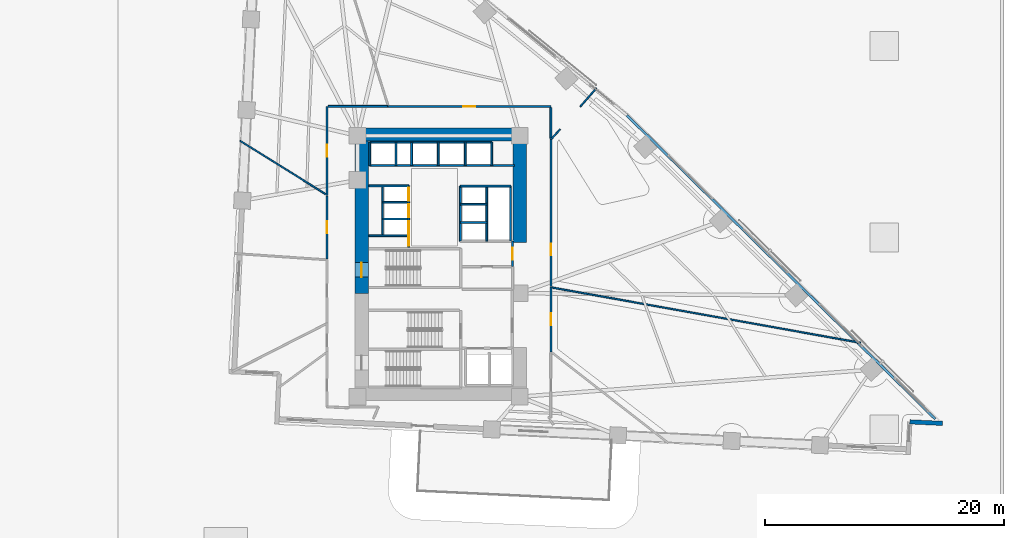
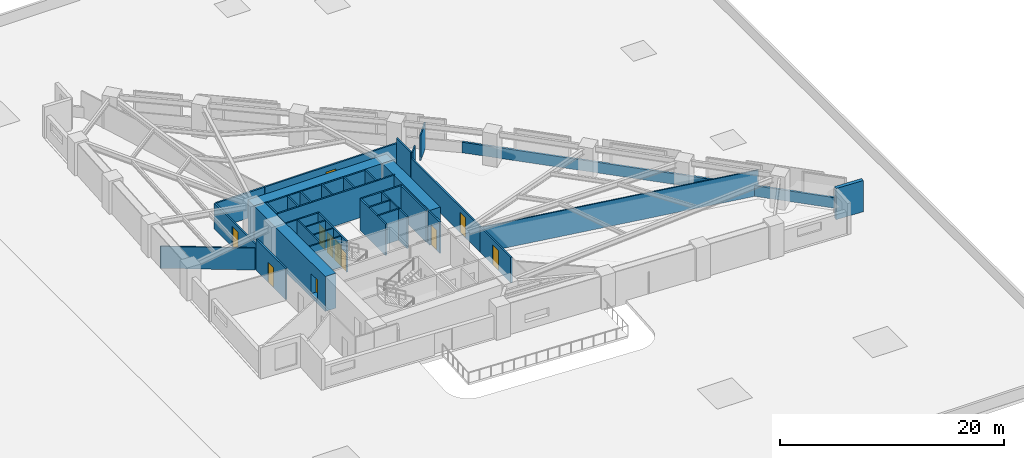
# One storey, part 15 of 19: 38 walls, 11 doors, 11 openings.
"""IFC4 building model written with IfcOpenShell, lengths in metres."""

from ifc_helpers import new_model, si_unit, direction, frame, frame_2d, origin, place, context, subcontext, project, spatial, rectangle, extrude, material, layer, layer_set, type_object, element, fill, save


model = new_model("IFC4")

# Units and contexts
model_context = context("Model", 3, precision=1e-05, world=origin(), true_north=direction((0.0, 1.0)))
body_context = subcontext(model_context, "Body", "Model", "MODEL_VIEW")
ifc_project = project(units=[si_unit("LENGTHUNIT", "METRE"), si_unit("AREAUNIT", "SQUARE_METRE"), si_unit("VOLUMEUNIT", "CUBIC_METRE"), si_unit("PLANEANGLEUNIT", "RADIAN"), si_unit("MASSUNIT", "GRAM", prefix="KILO")], contexts=[model_context])

# Site, building, storey
site_placement = place(None, origin())
site = spatial("IfcSite", under=ifc_project, at=site_placement, CompositionType="ELEMENT")
building_placement = place(site_placement, origin())
building = spatial("IfcBuilding", under=site, at=building_placement, Name="Narakoshi Arena Tower", CompositionType="ELEMENT")
storey_placement = place(building_placement, frame((0.0, 0.0, 26.699951171875)))
storey = spatial("IfcBuildingStorey", under=building, at=storey_placement, Name="L06", CompositionType="ELEMENT", Elevation=26.699951171875)

# Wall, opening, door
ifc_material_1 = material(Name="Concrete C60/75", Category="concrete")
ifc_layer_1 = layer(ifc_material_1, 1.10009765625)
ifc_layer_set_1 = layer_set([ifc_layer_1], Name="Concrete C60/75")
wall_type_1 = type_object("IfcWallType", Name="WL-CORE-1100", PredefinedType="SHEAR", material=ifc_layer_set_1)
wall_1_placement = place(storey_placement, frame((72.35009765625, 43.35009765625, -0.39990234375), z_axis=(0.0, 0.0, 1.0), x_axis=(0.0, 1.0, 0.0)))
wall_1 = element("IfcWall", 1, at=wall_1_placement, inside=storey, type_object=wall_type_1, Name="L06 Main Core Shear Wall CW-MN-W", PredefinedType="SHEAR", context=body_context, shape_type="SweptSolid", body=[
    extrude(rectangle(XDim=12.699951171875, YDim=1.10009765625, at=frame_2d((6.35009765625, 0.0))), origin(), (0.0, 0.0, 1.0), 3.800048828125),
])
opening_1_placement = place(wall_1_placement, frame((1.35009765625, 0.0, 0.39990234375)))
opening_1 = element("IfcOpeningElement", 2, at=opening_1_placement, cuts=wall_1, Name="Opening D-03", PredefinedType="OPENING", context=body_context, shape_type="SweptSolid", body=[
    extrude(rectangle(XDim=1.199951171875, YDim=2.199951171875, at=frame_2d((0.60009765625, 1.10009765625))), frame((0.0, 0.56005859375, 0.0), z_axis=(0.0, -1.0, 0.0), x_axis=(1.0, 0.0, 0.0)), (0.0, 0.0, 1.0), 1.1201171875),
])
ifc_material_2 = material(Name="Painted galvanized steel", Category="steel")
door_type_1 = type_object("IfcDoorType", Name="DR-STR-1200", OperationType="NOTDEFINED", PredefinedType="USERDEFINED", material=ifc_material_2)
door_1_placement = place(opening_1_placement, frame((1.199951171875, 0.0, 0.0), z_axis=(0.0, 0.0, 1.0), x_axis=(-1.0, 0.0, 0.0)))
door_1 = element("IfcDoor", 3, at=door_1_placement, inside=storey, type_object=door_type_1, Name="DR-L06-007", ObjectType="EXITDOOR", OperationType="SINGLE_SWING_LEFT", OverallHeight=2.199951171875, OverallWidth=1.199951171875, PredefinedType="USERDEFINED", context=body_context, shape_type="SweptSolid", body=[
    extrude(rectangle(XDim=1.199951171875, YDim=2.199951171875, at=frame_2d((0.60009765625, 1.10009765625))), frame((0.0, 0.02490234375, 0.0), z_axis=(0.0, -1.0, 0.0), x_axis=(1.0, 0.0, 0.0)), (0.0, 0.0, 1.0), 0.050048828125),
])
fill(opening_1, door_1)

# Walls
wall_2_placement = place(storey_placement, frame((71.800048828125, 56.60009765625, -0.39990234375), z_axis=(0.0, 0.0, 1.0), x_axis=(1.0, 0.0, 0.0)))
element("IfcWall", 4, at=wall_2_placement, inside=storey, type_object=wall_type_1, Name="L06 Main Core Shear Wall CW-MN-N", PredefinedType="SHEAR", context=body_context, shape_type="SweptSolid", body=[
    extrude(rectangle(XDim=14.300048828125, YDim=1.10009765625, at=frame_2d((7.14990234375, 0.0))), origin(), (0.0, 0.0, 1.0), 3.800048828125),
])
wall_3_placement = place(storey_placement, frame((85.550048828125, 47.60009765625, -0.39990234375), z_axis=(0.0, 0.0, 1.0), x_axis=(0.0, 1.0, 0.0)))
element("IfcWall", 5, at=wall_3_placement, inside=storey, type_object=wall_type_1, Name="L06 Main Core Shear Wall CW-MN-E", PredefinedType="SHEAR", context=body_context, shape_type="SweptSolid", body=[
    extrude(rectangle(XDim=8.449951171875, YDim=1.10009765625, at=frame_2d((4.22509765625, 0.0))), origin(), (0.0, 0.0, 1.0), 3.800048828125),
])

# Wall, opening, door
ifc_material_3 = material(Name="Gypsum plasterboard fire-rated partition")
ifc_layer_2 = layer(ifc_material_3, 0.1650390625)
ifc_layer_set_2 = layer_set([ifc_layer_2], Name="Gypsum plasterboard fire-rated partition")
wall_type_2 = type_object("IfcWallType", Name="WL-CORR-165", PredefinedType="PARTITIONING", material=ifc_layer_set_2)
wall_4_placement = place(storey_placement, frame((84.949951171875, 45.580078125, 0.0), z_axis=(0.0, 0.0, 1.0), x_axis=(0.0, 1.0, 0.0)))
wall_4 = element("IfcWall", 6, at=wall_4_placement, inside=storey, type_object=wall_type_2, Name="L06 Core Wall CPAS-E", PredefinedType="PARTITIONING", context=body_context, shape_type="SweptSolid", body=[
    extrude(rectangle(XDim=2.119873046875, YDim=0.1650390625, at=frame_2d((1.06005859375, 0.0))), origin(), (0.0, 0.0, 1.0), 3.400146484375),
])
opening_2_placement = place(wall_4_placement, frame((0.56005859375, 0.0, 0.0)))
opening_2 = element("IfcOpeningElement", 7, at=opening_2_placement, cuts=wall_4, Name="Opening D-06", PredefinedType="OPENING", context=body_context, shape_type="SweptSolid", body=[
    extrude(rectangle(XDim=1.0, YDim=2.199951171875, at=frame_2d((0.5, 1.10009765625))), frame((0.0, 0.092529296875, 0.0), z_axis=(0.0, -1.0, 0.0), x_axis=(1.0, 0.0, 0.0)), (0.0, 0.0, 1.0), 0.18505859375),
])
ifc_material_4 = material(Name="Stained oak solid-core timber", Category="wood")
door_type_2 = type_object("IfcDoorType", Name="DR-OFF-1000", OperationType="NOTDEFINED", PredefinedType="DOOR", material=ifc_material_4)
door_2_placement = place(opening_2_placement, frame((1.0, 0.0, 0.0), z_axis=(0.0, 0.0, 1.0), x_axis=(-1.0, 0.0, 0.0)))
door_2 = element("IfcDoor", 8, at=door_2_placement, inside=storey, type_object=door_type_2, Name="DR-L06-008", OperationType="SINGLE_SWING_LEFT", OverallHeight=2.199951171875, OverallWidth=1.0, PredefinedType="DOOR", context=body_context, shape_type="SweptSolid", body=[
    extrude(rectangle(XDim=1.0, YDim=2.199951171875, at=frame_2d((0.5, 1.10009765625))), frame((0.0, 0.02490234375, 0.0), z_axis=(0.0, -1.0, 0.0), x_axis=(1.0, 0.0, 0.0)), (0.0, 0.0, 1.0), 0.050048828125),
])
fill(opening_2, door_2)

wall_5_placement = place(storey_placement, frame((88.14990234375, 38.439453125, 0.0), z_axis=(0.0, 0.0, 1.0), x_axis=(0.0, 1.0, 0.0)))
wall_5 = element("IfcWall", 9, at=wall_5_placement, inside=storey, type_object=wall_type_2, Name="L06 Corridor Partition 03-1", PredefinedType="PARTITIONING", context=body_context, shape_type="SweptSolid", body=[
    extrude(rectangle(XDim=5.440673828125, YDim=0.1650390625, at=frame_2d((2.72021484375, 0.0))), origin(), (0.0, 0.0, 1.0), 2.78515625),
])
opening_3_placement = place(wall_5_placement, frame((2.220458984375, 0.0, 0.0)))
opening_3 = element("IfcOpeningElement", 10, at=opening_3_placement, cuts=wall_5, Name="Opening D-06", PredefinedType="OPENING", context=body_context, shape_type="SweptSolid", body=[
    extrude(rectangle(XDim=1.0, YDim=2.199951171875, at=frame_2d((0.5, 1.10009765625))), frame((0.0, 0.092529296875, 0.0), z_axis=(0.0, -1.0, 0.0), x_axis=(1.0, 0.0, 0.0)), (0.0, 0.0, 1.0), 0.18505859375),
])
door_3_placement = place(opening_3_placement, frame((1.0, 0.0, 0.0), z_axis=(0.0, 0.0, 1.0), x_axis=(-1.0, 0.0, 0.0)))
door_3 = element("IfcDoor", 11, at=door_3_placement, inside=storey, type_object=door_type_2, Name="DR-L06-016", OperationType="SINGLE_SWING_RIGHT", OverallHeight=2.199951171875, OverallWidth=1.0, PredefinedType="DOOR", context=body_context, shape_type="SweptSolid", body=[
    extrude(rectangle(XDim=1.0, YDim=2.199951171875, at=frame_2d((0.5, 1.10009765625))), frame((0.0, 0.02490234375, 0.0), z_axis=(0.0, -1.0, 0.0), x_axis=(1.0, 0.0, 0.0)), (0.0, 0.0, 1.0), 0.050048828125),
])
fill(opening_3, door_3)

wall_6_placement = place(storey_placement, frame((88.14990234375, 43.904541015625, 0.0), z_axis=(0.0, 0.0, 1.0), x_axis=(0.0, 1.0, 0.0)))
wall_6 = element("IfcWall", 12, at=wall_6_placement, inside=storey, type_object=wall_type_2, Name="L06 Corridor Partition 05-1", PredefinedType="PARTITIONING", context=body_context, shape_type="SweptSolid", body=[
    extrude(rectangle(XDim=12.312255859375, YDim=0.1650390625, at=frame_2d((6.15625, 0.0))), origin(), (0.0, 0.0, 1.0), 2.78515625),
])
opening_4_placement = place(wall_6_placement, frame((2.6005859375, 0.0, 0.0)))
opening_4 = element("IfcOpeningElement", 13, at=opening_4_placement, cuts=wall_6, Name="Opening D-06", PredefinedType="OPENING", context=body_context, shape_type="SweptSolid", body=[
    extrude(rectangle(XDim=1.0, YDim=2.199951171875, at=frame_2d((0.5, 1.10009765625))), frame((0.0, 0.092529296875, 0.0), z_axis=(0.0, -1.0, 0.0), x_axis=(1.0, 0.0, 0.0)), (0.0, 0.0, 1.0), 0.18505859375),
])
door_4_placement = place(opening_4_placement, frame((1.0, 0.0, 0.0), z_axis=(0.0, 0.0, 1.0), x_axis=(-1.0, 0.0, 0.0)))
door_4 = element("IfcDoor", 14, at=door_4_placement, inside=storey, type_object=door_type_2, Name="DR-L06-018", OperationType="SINGLE_SWING_RIGHT", OverallHeight=2.199951171875, OverallWidth=1.0, PredefinedType="DOOR", context=body_context, shape_type="SweptSolid", body=[
    extrude(rectangle(XDim=1.0, YDim=2.199951171875, at=frame_2d((0.5, 1.10009765625))), frame((0.0, 0.02490234375, 0.0), z_axis=(0.0, -1.0, 0.0), x_axis=(1.0, 0.0, 0.0)), (0.0, 0.0, 1.0), 0.050048828125),
])
fill(opening_4, door_4)

wall_7_placement = place(storey_placement, frame((88.14990234375, 58.949951171875, 0.0), z_axis=(0.0, 0.0, 1.0), x_axis=(-1.0, 0.0, 0.0)))
wall_7 = element("IfcWall", 15, at=wall_7_placement, inside=storey, type_object=wall_type_2, Name="L06 Corridor Partition 06-1", PredefinedType="PARTITIONING", context=body_context, shape_type="SweptSolid", body=[
    extrude(rectangle(XDim=13.599609375, YDim=0.1650390625, at=frame_2d((6.7998046875, 0.0))), origin(), (0.0, 0.0, 1.0), 2.78515625),
])
opening_5_placement = place(wall_7_placement, frame((6.2998046875, 0.0, 0.0)))
opening_5 = element("IfcOpeningElement", 16, at=opening_5_placement, cuts=wall_7, Name="Opening D-06", PredefinedType="OPENING", context=body_context, shape_type="SweptSolid", body=[
    extrude(rectangle(XDim=1.0, YDim=2.199951171875, at=frame_2d((0.5, 1.10009765625))), frame((0.0, 0.092529296875, 0.0), z_axis=(0.0, -1.0, 0.0), x_axis=(1.0, 0.0, 0.0)), (0.0, 0.0, 1.0), 0.18505859375),
])
door_5_placement = place(opening_5_placement, frame((1.0, 0.0, 0.0), z_axis=(0.0, 0.0, 1.0), x_axis=(-1.0, 0.0, 0.0)))
door_5 = element("IfcDoor", 17, at=door_5_placement, inside=storey, type_object=door_type_2, Name="DR-L06-019", OperationType="SINGLE_SWING_LEFT", OverallHeight=2.199951171875, OverallWidth=1.0, PredefinedType="DOOR", context=body_context, shape_type="SweptSolid", body=[
    extrude(rectangle(XDim=1.0, YDim=2.199951171875, at=frame_2d((0.5, 1.10009765625))), frame((0.0, 0.02490234375, 0.0), z_axis=(0.0, -1.0, 0.0), x_axis=(1.0, 0.0, 0.0)), (0.0, 0.0, 1.0), 0.050048828125),
])
fill(opening_5, door_5)

# Wall
wall_8_placement = place(storey_placement, frame((88.14990234375, 56.3037109375, 0.0), z_axis=(0.0, 0.0, 1.0), x_axis=(0.0, 1.0, 0.0)))
element("IfcWall", 18, at=wall_8_placement, inside=storey, type_object=wall_type_2, Name="L06 Corridor Partition 06-2", PredefinedType="PARTITIONING", context=body_context, shape_type="SweptSolid", body=[
    extrude(rectangle(XDim=2.5517578125, YDim=0.1650390625, at=frame_2d((1.27587890625, 0.0))), origin(), (0.0, 0.0, 1.0), 3.400146484375),
])

# Wall, opening, door
wall_9_placement = place(storey_placement, frame((69.449951171875, 58.949951171875, 0.0), z_axis=(0.0, 0.0, 1.0), x_axis=(0.0, -1.0, 0.0)))
wall_9 = element("IfcWall", 19, at=wall_9_placement, inside=storey, type_object=wall_type_2, Name="L06 Corridor Partition 07-1", PredefinedType="PARTITIONING", context=body_context, shape_type="SweptSolid", body=[
    extrude(rectangle(XDim=7.43310546875, YDim=0.1650390625, at=frame_2d((3.716552734375, 0.0))), origin(), (0.0, 0.0, 1.0), 2.78515625),
])
opening_6_placement = place(wall_9_placement, frame((3.216552734375, 0.0, 0.0)))
opening_6 = element("IfcOpeningElement", 20, at=opening_6_placement, cuts=wall_9, Name="Opening D-06", PredefinedType="OPENING", context=body_context, shape_type="SweptSolid", body=[
    extrude(rectangle(XDim=1.0, YDim=2.199951171875, at=frame_2d((0.5, 1.10009765625))), frame((0.0, 0.092529296875, 0.0), z_axis=(0.0, -1.0, 0.0), x_axis=(1.0, 0.0, 0.0)), (0.0, 0.0, 1.0), 0.18505859375),
])
door_6_placement = place(opening_6_placement, frame((1.0, 0.0, 0.0), z_axis=(0.0, 0.0, 1.0), x_axis=(-1.0, 0.0, 0.0)))
door_6 = element("IfcDoor", 21, at=door_6_placement, inside=storey, type_object=door_type_2, Name="DR-L06-020", OperationType="SINGLE_SWING_RIGHT", OverallHeight=2.199951171875, OverallWidth=1.0, PredefinedType="DOOR", context=body_context, shape_type="SweptSolid", body=[
    extrude(rectangle(XDim=1.0, YDim=2.199951171875, at=frame_2d((0.5, 1.10009765625))), frame((0.0, 0.02490234375, 0.0), z_axis=(0.0, -1.0, 0.0), x_axis=(1.0, 0.0, 0.0)), (0.0, 0.0, 1.0), 0.050048828125),
])
fill(opening_6, door_6)

# Wall
wall_10_placement = place(storey_placement, frame((74.52490234375, 58.949951171875, 0.0), z_axis=(0.0, 0.0, 1.0), x_axis=(-1.0, 0.0, 0.0)))
element("IfcWall", 22, at=wall_10_placement, inside=storey, type_object=wall_type_2, Name="L06 Corridor Partition 07-2", PredefinedType="PARTITIONING", context=body_context, shape_type="SweptSolid", body=[
    extrude(rectangle(XDim=4.98046875, YDim=0.1650390625, at=frame_2d((2.490234375, 0.0))), origin(), (0.0, 0.0, 1.0), 2.78515625),
])

# Wall, opening, door
wall_11_placement = place(storey_placement, frame((69.449951171875, 51.488525390625, 0.0), z_axis=(0.0, 0.0, 1.0), x_axis=(0.0, -1.0, 0.0)))
wall_11 = element("IfcWall", 23, at=wall_11_placement, inside=storey, type_object=wall_type_2, Name="L06 Corridor Partition 09-1", PredefinedType="PARTITIONING", context=body_context, shape_type="SweptSolid", body=[
    extrude(rectangle(XDim=5.283447265625, YDim=0.1650390625, at=frame_2d((2.6416015625, 0.0))), origin(), (0.0, 0.0, 1.0), 3.400146484375),
])
opening_7_placement = place(wall_11_placement, frame((2.1416015625, 0.0, 0.0)))
opening_7 = element("IfcOpeningElement", 24, at=opening_7_placement, cuts=wall_11, Name="Opening D-06", PredefinedType="OPENING", context=body_context, shape_type="SweptSolid", body=[
    extrude(rectangle(XDim=1.0, YDim=2.199951171875, at=frame_2d((0.5, 1.10009765625))), frame((0.0, 0.092529296875, 0.0), z_axis=(0.0, -1.0, 0.0), x_axis=(1.0, 0.0, 0.0)), (0.0, 0.0, 1.0), 0.18505859375),
])
door_7_placement = place(opening_7_placement, frame((1.0, 0.0, 0.0), z_axis=(0.0, 0.0, 1.0), x_axis=(-1.0, 0.0, 0.0)))
door_7 = element("IfcDoor", 25, at=door_7_placement, inside=storey, type_object=door_type_2, Name="DR-L06-022", OperationType="SINGLE_SWING_RIGHT", OverallHeight=2.199951171875, OverallWidth=1.0, PredefinedType="DOOR", context=body_context, shape_type="SweptSolid", body=[
    extrude(rectangle(XDim=1.0, YDim=2.199951171875, at=frame_2d((0.5, 1.10009765625))), frame((0.0, 0.02490234375, 0.0), z_axis=(0.0, -1.0, 0.0), x_axis=(1.0, 0.0, 0.0)), (0.0, 0.0, 1.0), 0.050048828125),
])
fill(opening_7, door_7)

# Walls
ifc_material_5 = material(Name="Precast concrete C45/55", Category="concrete")
ifc_layer_3 = layer(ifc_material_5, 0.25)
ifc_layer_set_3 = layer_set([ifc_layer_3], Name="Precast concrete C45/55")
wall_type_3 = type_object("IfcWallType", Name="WL-PARA-250", PredefinedType="PARAPET", material=ifc_layer_set_3)
wall_12_placement = place(storey_placement, frame((120.254150390625, 32.847900390625, 0.0), z_axis=(0.0, 0.0, 1.0), x_axis=(-0.71254385441, 0.701627576099, 0.0)))
element("IfcWall", 26, at=wall_12_placement, inside=storey, type_object=wall_type_3, Name="L06 Hypotenuse Sill Upstand Parapet 1-01", PredefinedType="PARAPET", context=body_context, shape_type="SweptSolid", body=[
    extrude(rectangle(XDim=36.1416015625, YDim=0.199951171875, at=frame_2d((18.07080078125, 0.0))), origin(), (0.0, 0.0, 1.0), 1.150146484375),
])
ifc_layer_4 = layer(ifc_material_3, 0.125)
ifc_layer_set_4 = layer_set([ifc_layer_4], Name="Gypsum plasterboard fire-rated partition")
wall_type_4 = type_object("IfcWallType", Name="WL-PART-125", PredefinedType="PARTITIONING", material=ifc_layer_set_4)
wall_13_placement = place(storey_placement, frame((88.244384765625, 43.82666015625, 0.0), z_axis=(0.0, 0.0, 1.0), x_axis=(0.984354244371, -0.176200799059, 0.0)))
element("IfcWall", 27, at=wall_13_placement, inside=storey, type_object=wall_type_4, Name="L06 Inter-Room Partition 03-05", PredefinedType="PARTITIONING", context=body_context, shape_type="SweptSolid", body=[
    extrude(rectangle(XDim=26.183349609375, YDim=0.125, at=frame_2d((13.091796875, 0.0))), origin(), (0.0, 0.0, 1.0), 2.78515625),
])
wall_14_placement = place(storey_placement, frame((90.595947265625, 58.944091796875, 0.0), z_axis=(0.0, 0.0, 1.0), x_axis=(0.659102632296, 0.752053003518, 0.0)))
element("IfcWall", 28, at=wall_14_placement, inside=storey, type_object=wall_type_4, Name="L06 Inter-Room Partition 05-06", PredefinedType="PARTITIONING", context=body_context, shape_type="SweptSolid", body=[
    extrude(rectangle(XDim=2.05126953125, YDim=0.125, at=frame_2d((1.025634765625, 0.0))), origin(), (0.0, 0.0, 1.0), 2.78515625),
])
wall_15_placement = place(storey_placement, frame((88.17138671875, 56.216796875, 0.0), z_axis=(0.0, 0.0, 1.0), x_axis=(0.673579579933, 0.739114706589, 0.0)))
element("IfcWall", 29, at=wall_15_placement, inside=storey, type_object=wall_type_4, Name="L06 Inter-Room Partition 05-06", PredefinedType="PARTITIONING", context=body_context, shape_type="SweptSolid", body=[
    extrude(rectangle(XDim=1.125, YDim=0.125, at=frame_2d((0.5625, 0.0))), origin(), (0.0, 0.0, 1.0), 3.400146484375),
])
wall_16_placement = place(storey_placement, frame((69.35546875, 51.618408203125, 0.0), z_axis=(0.0, 0.0, 1.0), x_axis=(-0.848537287103, 0.529135589803, 0.0)))
element("IfcWall", 30, at=wall_16_placement, inside=storey, type_object=wall_type_4, Name="L06 Inter-Room Partition 07-09", PredefinedType="PARTITIONING", context=body_context, shape_type="SweptSolid", body=[
    extrude(rectangle(XDim=8.441650390625, YDim=0.125, at=frame_2d((4.220703125, 0.0))), origin(), (0.0, 0.0, 1.0), 2.385009765625),
])
ifc_layer_5 = layer(ifc_material_5, 0.419921875)
ifc_layer_set_5 = layer_set([ifc_layer_5], Name="Precast concrete C45/55")
wall_type_5 = type_object("IfcWallType", Name="WL-POD-420", PredefinedType="SOLIDWALL", material=ifc_layer_set_5)
wall_17_placement = place(storey_placement, frame((118.130615234375, 32.609619140625, 0.0), z_axis=(0.0, 0.0, 1.0), x_axis=(0.998846180588, -0.048024030708, 0.0)))
element("IfcWall", 31, at=wall_17_placement, inside=storey, type_object=wall_type_5, Name="L06 Re-Entrant Corner Notch Wall NTE-2", PredefinedType="SOLIDWALL", context=body_context, shape_type="SweptSolid", body=[
    extrude(rectangle(XDim=2.72998046875, YDim=0.360107421875, at=frame_2d((1.364990234375, 0.0))), origin(), (0.0, 0.0, 1.0), 3.400146484375),
])
ifc_material_6 = material(Name="Concrete C40/50", Category="concrete")
ifc_layer_6 = layer(ifc_material_6, 0.280029296875)
ifc_layer_set_6 = layer_set([ifc_layer_6], Name="Concrete C40/50")
wall_type_6 = type_object("IfcWallType", Name="WL-RISER-280", PredefinedType="PLUMBINGWALL", material=ifc_layer_set_6)
wall_18_placement = place(storey_placement, frame((72.949951171875, 48.159912109375, 0.0), z_axis=(0.0, 0.0, 1.0), x_axis=(1.0, 0.0, 0.0)))
element("IfcWall", 32, at=wall_18_placement, inside=storey, type_object=wall_type_6, Name="L06 Core Wall LR-S0", PredefinedType="PLUMBINGWALL", context=body_context, shape_type="SweptSolid", body=[
    extrude(rectangle(XDim=3.239990234375, YDim=0.139892578125, at=frame_2d((1.6201171875, 0.0))), origin(), (0.0, 0.0, 1.0), 3.400146484375),
])
for number, where, z_axis, x_axis, name in (
    (33, (74.14990234375, 49.550048828125, 0.0), (0.0, 0.0, 1.0), (1.0, 0.0, 0.0), "L06 Core Wall LR-D1"),
    (34, (74.14990234375, 50.949951171875, 0.0), (0.0, 0.0, 1.0), (1.0, 0.0, 0.0), "L06 Core Wall LR-D2"),
):
    element("IfcWall", number, at=place(storey_placement, frame(where, z_axis=z_axis, x_axis=x_axis)), inside=storey, type_object=wall_type_6, Name=name, PredefinedType="PLUMBINGWALL", context=body_context, shape_type="SweptSolid", body=[
        extrude(rectangle(XDim=2.0400390625, YDim=0.139892578125, at=frame_2d((1.02001953125, 0.0))), origin(), (0.0, 0.0, 1.0), 3.400146484375),
    ])
wall_19_placement = place(storey_placement, frame((74.10009765625, 48.159912109375, 0.0), z_axis=(0.0, 0.0, 1.0), x_axis=(0.0, 1.0, 0.0)))
element("IfcWall", 35, at=wall_19_placement, inside=storey, type_object=wall_type_6, Name="L06 Core Wall LR-W", PredefinedType="PLUMBINGWALL", context=body_context, shape_type="SweptSolid", body=[
    extrude(rectangle(XDim=4.16015625, YDim=0.139892578125, at=frame_2d((2.080078125, 0.0))), origin(), (0.0, 0.0, 1.0), 3.400146484375),
])
for number, where, z_axis, x_axis, name in (
    (36, (80.60009765625, 49.260009765625, 0.0), (0.0, 0.0, 1.0), (1.0, 0.0, 0.0), "L06 Core Wall MR-D1"),
    (37, (80.60009765625, 50.780029296875, 0.0), (0.0, 0.0, 1.0), (1.0, 0.0, 0.0), "L06 Core Wall MR-D2"),
):
    element("IfcWall", number, at=place(storey_placement, frame(where, z_axis=z_axis, x_axis=x_axis)), inside=storey, type_object=wall_type_6, Name=name, PredefinedType="PLUMBINGWALL", context=body_context, shape_type="SweptSolid", body=[
        extrude(rectangle(XDim=2.199951171875, YDim=0.14990234375, at=frame_2d((1.10009765625, 0.0))), origin(), (0.0, 0.0, 1.0), 3.400146484375),
    ])
wall_20_placement = place(storey_placement, frame((82.800048828125, 47.699951171875, 0.0), z_axis=(0.0, 0.0, 1.0), x_axis=(0.0, 1.0, 0.0)))
element("IfcWall", 38, at=wall_20_placement, inside=storey, type_object=wall_type_6, Name="L06 Core Wall MR-E", PredefinedType="PLUMBINGWALL", context=body_context, shape_type="SweptSolid", body=[
    extrude(rectangle(XDim=4.60009765625, YDim=0.14990234375, at=frame_2d((2.300048828125, 0.0))), origin(), (0.0, 0.0, 1.0), 3.400146484375),
])
for number, where, z_axis, x_axis, name in (
    (39, (73.02001953125, 54.02001953125, 0.0), (0.0, 0.0, 1.0), (0.0, 1.0, 0.0), "L06 Core Wall OBS-W"),
    (40, (75.219970703125, 54.02001953125, 0.0), (0.0, 0.0, 1.0), (0.0, 1.0, 0.0), "L06 Core Wall OBS-M"),
):
    element("IfcWall", number, at=place(storey_placement, frame(where, z_axis=z_axis, x_axis=x_axis)), inside=storey, type_object=wall_type_6, Name=name, PredefinedType="PLUMBINGWALL", context=body_context, shape_type="SweptSolid", body=[
        extrude(rectangle(XDim=1.93994140625, YDim=0.14990234375, at=frame_2d((0.969970703125, 0.0))), origin(), (0.0, 0.0, 1.0), 3.400146484375),
    ])
for number, where, z_axis, x_axis, name in (
    (41, (78.75, 54.02001953125, 0.0), (0.0, 0.0, 1.0), (0.0, 1.0, 0.0), "L06 Core Wall HR-D1"),
    (42, (81.0, 54.02001953125, 0.0), (0.0, 0.0, 1.0), (0.0, 1.0, 0.0), "L06 Core Wall HR-D2"),
):
    element("IfcWall", number, at=place(storey_placement, frame(where, z_axis=z_axis, x_axis=x_axis)), inside=storey, type_object=wall_type_6, Name=name, PredefinedType="PLUMBINGWALL", context=body_context, shape_type="SweptSolid", body=[
        extrude(rectangle(XDim=1.9599609375, YDim=0.14990234375, at=frame_2d((0.97998046875, 0.0))), origin(), (0.0, 0.0, 1.0), 3.400146484375),
    ])

# Wall, openings, doors
ifc_material_7 = material(Name="Concrete C50/60", Category="concrete")
ifc_layer_7 = layer(ifc_material_7, 0.35009765625)
ifc_layer_set_7 = layer_set([ifc_layer_7], Name="Concrete C50/60")
wall_type_7 = type_object("IfcWallType", Name="WL-SHAFT-350", PredefinedType="SOLIDWALL", material=ifc_layer_set_7)
wall_21_placement = place(storey_placement, frame((76.280029296875, 47.179931640625, 0.0), z_axis=(0.0, 0.0, 1.0), x_axis=(0.0, 1.0, 0.0)))
wall_21 = element("IfcWall", 43, at=wall_21_placement, inside=storey, type_object=wall_type_7, Name="L06 Core Wall LR-E", PredefinedType="SOLIDWALL", context=body_context, shape_type="SweptSolid", body=[
    extrude(rectangle(XDim=5.14013671875, YDim=0.159912109375, at=frame_2d((2.570068359375, 0.0))), origin(), (0.0, 0.0, 1.0), 3.400146484375),
])
opening_8_placement = place(wall_21_placement, frame((1.10009765625, 0.0, 0.0)))
opening_8 = element("IfcOpeningElement", 44, at=opening_8_placement, cuts=wall_21, Name="Opening LD-01", PredefinedType="OPENING", context=body_context, shape_type="SweptSolid", body=[
    extrude(rectangle(XDim=1.10009765625, YDim=2.25, at=frame_2d((0.550048828125, 1.125))), frame((0.0, 0.08984375, 0.0), z_axis=(0.0, -1.0, 0.0), x_axis=(1.0, 0.0, 0.0)), (0.0, 0.0, 1.0), 0.179931640625),
])
opening_9_placement = place(wall_21_placement, frame((2.5, 0.0, 0.0)))
opening_9 = element("IfcOpeningElement", 45, at=opening_9_placement, cuts=wall_21, Name="Opening LD-01", PredefinedType="OPENING", context=body_context, shape_type="SweptSolid", body=[
    extrude(rectangle(XDim=1.10009765625, YDim=2.25, at=frame_2d((0.550048828125, 1.125))), frame((0.0, 0.08984375, 0.0), z_axis=(0.0, -1.0, 0.0), x_axis=(1.0, 0.0, 0.0)), (0.0, 0.0, 1.0), 0.179931640625),
])
opening_10_placement = place(wall_21_placement, frame((3.89990234375, 0.0, 0.0)))
opening_10 = element("IfcOpeningElement", 46, at=opening_10_placement, cuts=wall_21, Name="Opening LD-01", PredefinedType="OPENING", context=body_context, shape_type="SweptSolid", body=[
    extrude(rectangle(XDim=1.10009765625, YDim=2.25, at=frame_2d((0.550048828125, 1.125))), frame((0.0, 0.08984375, 0.0), z_axis=(0.0, -1.0, 0.0), x_axis=(1.0, 0.0, 0.0)), (0.0, 0.0, 1.0), 0.179931640625),
])
opening_11_placement = place(wall_21_placement, frame((0.1201171875, 0.0, 0.0)))
opening_11 = element("IfcOpeningElement", 47, at=opening_11_placement, cuts=wall_21, Name="Opening D-10", PredefinedType="OPENING", context=body_context, shape_type="SweptSolid", body=[
    extrude(rectangle(XDim=0.85009765625, YDim=2.050048828125, at=frame_2d((0.425048828125, 1.02490234375))), frame((0.0, 0.08984375, 0.0), z_axis=(0.0, -1.0, 0.0), x_axis=(1.0, 0.0, 0.0)), (0.0, 0.0, 1.0), 0.179931640625),
])
ifc_material_8 = material(Name="Brushed bronze stainless steel", Category="steel")
door_type_3 = type_object("IfcDoorType", Name="DR-LFT-1100", OperationType="DOUBLE_DOOR_SLIDING", PredefinedType="DOOR", material=ifc_material_8)
door_8_placement = place(opening_8_placement, origin())
door_8 = element("IfcDoor", 48, at=door_8_placement, inside=storey, type_object=door_type_3, Name="DR-L06-010", OperationType="DOUBLE_DOOR_SLIDING", OverallHeight=2.25, OverallWidth=1.10009765625, PredefinedType="DOOR", context=body_context, shape_type="SweptSolid", body=[
    extrude(rectangle(XDim=1.10009765625, YDim=2.25, at=frame_2d((0.550048828125, 1.125))), frame((0.0, 0.02490234375, 0.0), z_axis=(0.0, -1.0, 0.0), x_axis=(1.0, 0.0, 0.0)), (0.0, 0.0, 1.0), 0.050048828125),
])
fill(opening_8, door_8)
door_9_placement = place(opening_9_placement, origin())
door_9 = element("IfcDoor", 49, at=door_9_placement, inside=storey, type_object=door_type_3, Name="DR-L06-011", OperationType="DOUBLE_DOOR_SLIDING", OverallHeight=2.25, OverallWidth=1.10009765625, PredefinedType="DOOR", context=body_context, shape_type="SweptSolid", body=[
    extrude(rectangle(XDim=1.10009765625, YDim=2.25, at=frame_2d((0.550048828125, 1.125))), frame((0.0, 0.02490234375, 0.0), z_axis=(0.0, -1.0, 0.0), x_axis=(1.0, 0.0, 0.0)), (0.0, 0.0, 1.0), 0.050048828125),
])
fill(opening_9, door_9)
door_10_placement = place(opening_10_placement, origin())
door_10 = element("IfcDoor", 50, at=door_10_placement, inside=storey, type_object=door_type_3, Name="DR-L06-012", OperationType="DOUBLE_DOOR_SLIDING", OverallHeight=2.25, OverallWidth=1.10009765625, PredefinedType="DOOR", context=body_context, shape_type="SweptSolid", body=[
    extrude(rectangle(XDim=1.10009765625, YDim=2.25, at=frame_2d((0.550048828125, 1.125))), frame((0.0, 0.02490234375, 0.0), z_axis=(0.0, -1.0, 0.0), x_axis=(1.0, 0.0, 0.0)), (0.0, 0.0, 1.0), 0.050048828125),
])
fill(opening_10, door_10)
door_type_4 = type_object("IfcDoorType", Name="DR-RSR-850", OperationType="NOTDEFINED", PredefinedType="DOOR", material=ifc_material_2)
door_11_placement = place(opening_11_placement, frame((0.85009765625, 0.0, 0.0), z_axis=(0.0, 0.0, 1.0), x_axis=(-1.0, 0.0, 0.0)))
door_11 = element("IfcDoor", 51, at=door_11_placement, inside=storey, type_object=door_type_4, Name="DR-L06-013", OperationType="SINGLE_SWING_LEFT", OverallHeight=2.050048828125, OverallWidth=0.85009765625, PredefinedType="DOOR", context=body_context, shape_type="SweptSolid", body=[
    extrude(rectangle(XDim=0.85009765625, YDim=2.050048828125, at=frame_2d((0.425048828125, 1.02490234375))), frame((0.0, 0.02490234375, 0.0), z_axis=(0.0, -1.0, 0.0), x_axis=(1.0, 0.0, 0.0)), (0.0, 0.0, 1.0), 0.050048828125),
])
fill(opening_11, door_11)

# Walls
wall_22_placement = place(storey_placement, frame((72.949951171875, 52.320068359375, 0.0), z_axis=(0.0, 0.0, 1.0), x_axis=(1.0, 0.0, 0.0)))
element("IfcWall", 52, at=wall_22_placement, inside=storey, type_object=wall_type_7, Name="L06 Core Wall LR-N", PredefinedType="SOLIDWALL", context=body_context, shape_type="SweptSolid", body=[
    extrude(rectangle(XDim=3.330078125, YDim=0.14990234375, at=frame_2d((1.6650390625, 0.0))), origin(), (0.0, 0.0, 1.0), 3.400146484375),
])
wall_23_placement = place(storey_placement, frame((80.60009765625, 47.699951171875, 0.0), z_axis=(0.0, 0.0, 1.0), x_axis=(0.0, 1.0, 0.0)))
element("IfcWall", 53, at=wall_23_placement, inside=storey, type_object=wall_type_7, Name="L06 Core Wall MR-W", PredefinedType="SOLIDWALL", context=body_context, shape_type="SweptSolid", body=[
    extrude(rectangle(XDim=4.60009765625, YDim=0.159912109375, at=frame_2d((2.300048828125, 0.0))), origin(), (0.0, 0.0, 1.0), 3.400146484375),
])
wall_24_placement = place(storey_placement, frame((80.60009765625, 52.300048828125, 0.0), z_axis=(0.0, 0.0, 1.0), x_axis=(1.0, 0.0, 0.0)))
element("IfcWall", 54, at=wall_24_placement, inside=storey, type_object=wall_type_7, Name="L06 Core Wall MR-N", PredefinedType="SOLIDWALL", context=body_context, shape_type="SweptSolid", body=[
    extrude(rectangle(XDim=4.219970703125, YDim=0.159912109375, at=frame_2d((2.10986328125, 0.0))), origin(), (0.0, 0.0, 1.0), 3.400146484375),
])
wall_25_placement = place(storey_placement, frame((84.780029296875, 47.699951171875, 0.0), z_axis=(0.0, 0.0, 1.0), x_axis=(0.0, 1.0, 0.0)))
element("IfcWall", 55, at=wall_25_placement, inside=storey, type_object=wall_type_7, Name="L06 Core Wall MR-E2", PredefinedType="SOLIDWALL", context=body_context, shape_type="SweptSolid", body=[
    extrude(rectangle(XDim=4.60009765625, YDim=0.159912109375, at=frame_2d((2.300048828125, 0.0))), origin(), (0.0, 0.0, 1.0), 3.400146484375),
])
wall_26_placement = place(storey_placement, frame((73.02001953125, 54.02001953125, 0.0), z_axis=(0.0, 0.0, 1.0), x_axis=(1.0, 0.0, 0.0)))
element("IfcWall", 56, at=wall_26_placement, inside=storey, type_object=wall_type_7, Name="L06 Core Wall NSHF-S", PredefinedType="SOLIDWALL", context=body_context, shape_type="SweptSolid", body=[
    extrude(rectangle(XDim=12.080078125, YDim=0.159912109375, at=frame_2d((6.0400390625, 0.0))), origin(), (0.0, 0.0, 1.0), 3.400146484375),
])
wall_27_placement = place(storey_placement, frame((73.02001953125, 55.9599609375, 0.0), z_axis=(0.0, 0.0, 1.0), x_axis=(1.0, 0.0, 0.0)))
element("IfcWall", 57, at=wall_27_placement, inside=storey, type_object=wall_type_7, Name="L06 Core Wall OBS-N", PredefinedType="SOLIDWALL", context=body_context, shape_type="SweptSolid", body=[
    extrude(rectangle(XDim=3.5, YDim=0.14990234375, at=frame_2d((1.75, 0.0))), origin(), (0.0, 0.0, 1.0), 3.400146484375),
])
wall_28_placement = place(storey_placement, frame((76.52001953125, 54.02001953125, 0.0), z_axis=(0.0, 0.0, 1.0), x_axis=(0.0, 1.0, 0.0)))
element("IfcWall", 58, at=wall_28_placement, inside=storey, type_object=wall_type_7, Name="L06 Core Wall OBS-E", PredefinedType="SOLIDWALL", context=body_context, shape_type="SweptSolid", body=[
    extrude(rectangle(XDim=1.93994140625, YDim=0.14990234375, at=frame_2d((0.969970703125, 0.0))), origin(), (0.0, 0.0, 1.0), 3.400146484375),
])
wall_29_placement = place(storey_placement, frame((83.219970703125, 54.02001953125, 0.0), z_axis=(0.0, 0.0, 1.0), x_axis=(0.0, 1.0, 0.0)))
element("IfcWall", 59, at=wall_29_placement, inside=storey, type_object=wall_type_7, Name="L06 Core Wall HR-E", PredefinedType="SOLIDWALL", context=body_context, shape_type="SweptSolid", body=[
    extrude(rectangle(XDim=1.9599609375, YDim=0.14990234375, at=frame_2d((0.97998046875, 0.0))), origin(), (0.0, 0.0, 1.0), 3.400146484375),
])
wall_30_placement = place(storey_placement, frame((76.52001953125, 55.9599609375, 0.0), z_axis=(0.0, 0.0, 1.0), x_axis=(1.0, 0.0, 0.0)))
element("IfcWall", 60, at=wall_30_placement, inside=storey, type_object=wall_type_7, Name="L06 Core Wall HR-N", PredefinedType="SOLIDWALL", context=body_context, shape_type="SweptSolid", body=[
    extrude(rectangle(XDim=6.699951171875, YDim=0.14990234375, at=frame_2d((3.35009765625, 0.0))), origin(), (0.0, 0.0, 1.0), 3.400146484375),
])

save(model, "model.ifc")
